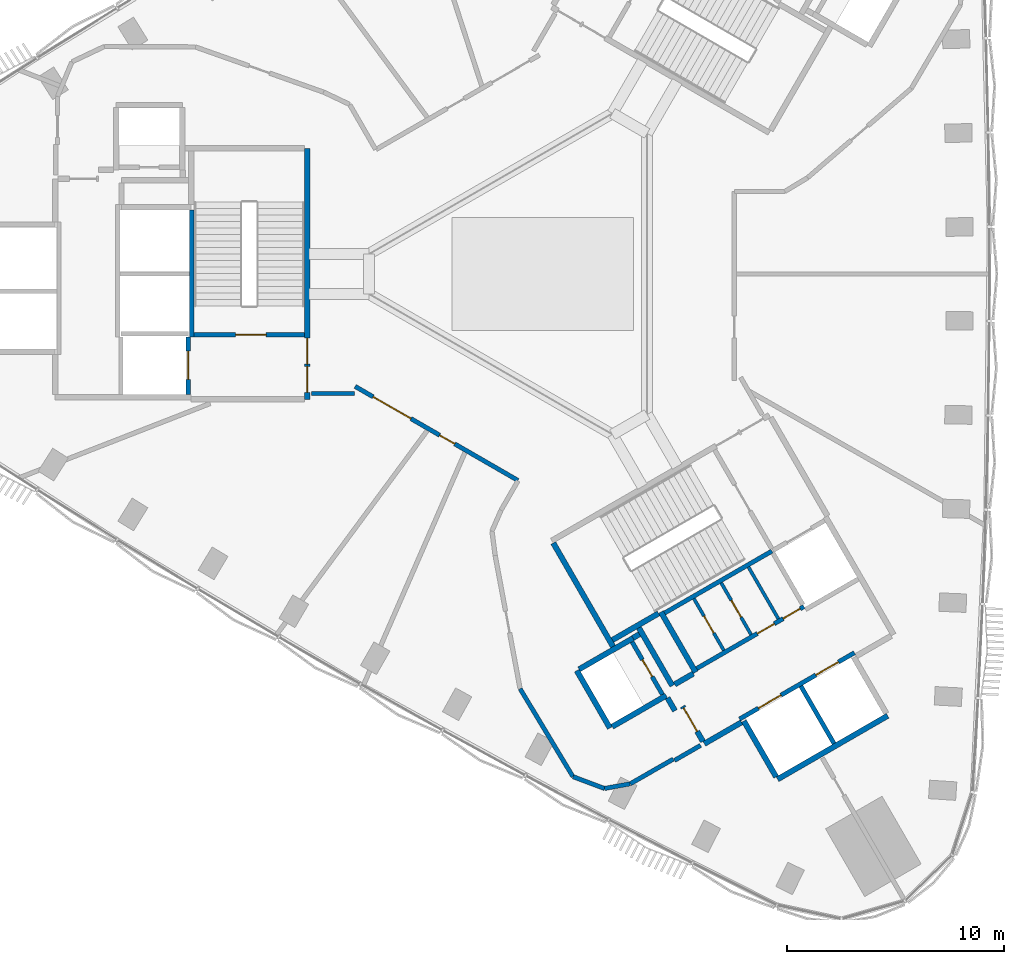
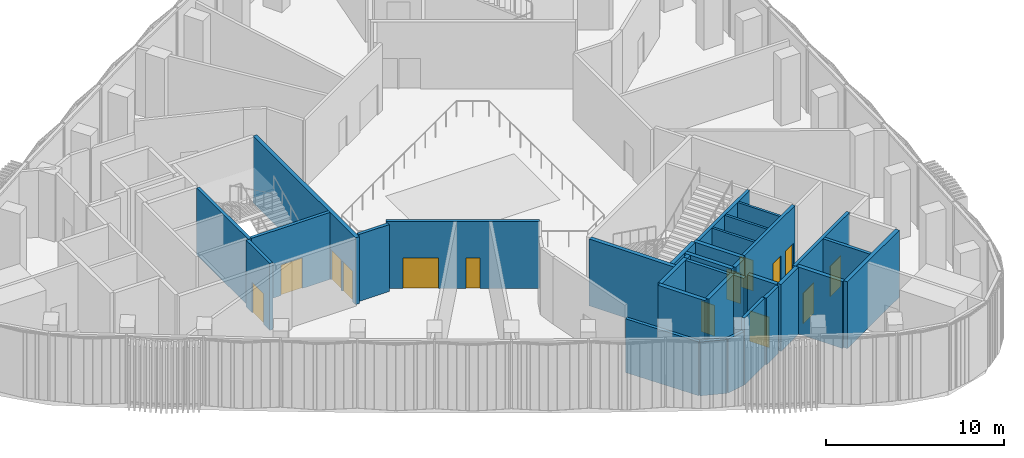
# One storey, part 8 of 17: 33 walls, 14 doors, 14 openings.
"""IFC4 building model written with IfcOpenShell, lengths in metres."""

from ifc_helpers import new_model, si_unit, direction, frame, frame_2d, origin, place, context, subcontext, project, spatial, rectangle, extrude, material, layer, layer_set, type_object, element, fill, save


model = new_model("IFC4")

# Units and contexts
model_context = context("Model", 3, precision=1e-05, world=origin(), true_north=direction((0.0, 1.0)))
body_context = subcontext(model_context, "Body", "Model", "MODEL_VIEW")
ifc_project = project(units=[si_unit("LENGTHUNIT", "METRE"), si_unit("AREAUNIT", "SQUARE_METRE"), si_unit("VOLUMEUNIT", "CUBIC_METRE"), si_unit("PLANEANGLEUNIT", "RADIAN"), si_unit("MASSUNIT", "GRAM", prefix="KILO")], contexts=[model_context])

# Site, building, storey
site_placement = place(None, origin())
site = spatial("IfcSite", under=ifc_project, at=site_placement, CompositionType="ELEMENT")
building_placement = place(site_placement, origin())
building = spatial("IfcBuilding", under=site, at=building_placement, Name="Tamra Quay Hotel Tower", CompositionType="ELEMENT")
storey_placement = place(building_placement, frame((0.0, 0.0, 123.800048828125)))
storey = spatial("IfcBuildingStorey", under=building, at=storey_placement, Name="L30", CompositionType="ELEMENT", Elevation=123.800048828125)

# Wall
ifc_material_1 = material(Name="Concrete M70", Category="concrete")
ifc_layer_1 = layer(ifc_material_1, 0.199951171875)
ifc_layer_set_1 = layer_set([ifc_layer_1], Name="Concrete M70 core wall 200")
wall_type_1 = type_object("IfcWallType", Name="Concrete M70 core wall 200", PredefinedType="SHEAR", material=ifc_layer_set_1)
wall_1_placement = place(storey_placement, frame((-16.162109375, 2.95068359375, 0.0), z_axis=(0.0, 0.0, 1.0), x_axis=(0.0, -1.0, 0.0)))
element("IfcWall", 1, at=wall_1_placement, inside=storey, type_object=wall_type_1, Name="CW2", PredefinedType="SHEAR", context=body_context, shape_type="SweptSolid", body=[
    extrude(rectangle(XDim=5.850830078125, YDim=0.199951171875, at=frame_2d((2.92529296875, 0.0))), origin(), (0.0, 0.0, 1.0), 4.599853515625),
])

# Wall, opening, door
wall_2_placement = place(storey_placement, frame((-10.96337890625, -2.800048828125, 0.0), z_axis=(0.0, 0.0, 1.0), x_axis=(-1.0, 0.0, 0.0)))
wall_2 = element("IfcWall", 2, at=wall_2_placement, inside=storey, type_object=wall_type_1, Name="CW2", PredefinedType="SHEAR", context=body_context, shape_type="SweptSolid", body=[
    extrude(rectangle(XDim=5.097900390625, YDim=0.199951171875, at=frame_2d((2.548828125, 0.0))), origin(), (0.0, 0.0, 1.0), 4.599853515625),
])
opening_1_placement = place(wall_2_placement, frame((1.77392578125, 0.0, 0.0)))
opening_1 = element("IfcOpeningElement", 3, at=opening_1_placement, cuts=wall_2, Name="Opening FD2", PredefinedType="OPENING", context=body_context, shape_type="SweptSolid", body=[
    extrude(rectangle(XDim=1.39990234375, YDim=2.10009765625, at=frame_2d((0.699951171875, 1.050048828125))), frame((0.0, 0.10986328125, 0.0), z_axis=(0.0, -1.0, 0.0), x_axis=(1.0, 0.0, 0.0)), (0.0, 0.0, 1.0), 0.219970703125),
])
ifc_material_2 = material(Name="Core door FD2 1400x2100 RH")
door_type_1 = type_object("IfcDoorType", Name="Core door FD2 1400x2100 RH", OperationType="NOTDEFINED", PredefinedType="DOOR", material=ifc_material_2)
door_1_placement = place(opening_1_placement, origin())
door_1 = element("IfcDoor", 4, at=door_1_placement, inside=storey, type_object=door_type_1, Name="FD2", OperationType="SINGLE_SWING_RIGHT", OverallHeight=2.10009765625, OverallWidth=1.39990234375, PredefinedType="DOOR", context=body_context, shape_type="SweptSolid", body=[
    extrude(rectangle(XDim=1.39990234375, YDim=2.10009765625, at=frame_2d((0.699951171875, 1.050048828125))), frame((0.0, 0.02490234375, 0.0), z_axis=(0.0, -1.0, 0.0), x_axis=(1.0, 0.0, 0.0)), (0.0, 0.0, 1.0), 0.050048828125),
])
fill(opening_1, door_1)

wall_3_placement = place(storey_placement, frame((-16.312255859375, -2.898193359375, 0.0), z_axis=(0.0, 0.0, 1.0), x_axis=(0.0, -1.0, 0.0)))
wall_3 = element("IfcWall", 5, at=wall_3_placement, inside=storey, type_object=wall_type_1, Name="CW2", PredefinedType="SHEAR", context=body_context, shape_type="SweptSolid", body=[
    extrude(rectangle(XDim=2.65087890625, YDim=0.199951171875, at=frame_2d((1.325439453125, 0.0))), origin(), (0.0, 0.0, 1.0), 4.599853515625),
])
opening_2_placement = place(wall_3_placement, frame((0.65185546875, 0.0, 0.0)))
opening_2 = element("IfcOpeningElement", 6, at=opening_2_placement, cuts=wall_3, Name="Opening LD", PredefinedType="OPENING", context=body_context, shape_type="SweptSolid", body=[
    extrude(rectangle(XDim=1.300048828125, YDim=2.10009765625, at=frame_2d((0.64990234375, 1.050048828125))), frame((0.0, 0.10986328125, 0.0), z_axis=(0.0, -1.0, 0.0), x_axis=(1.0, 0.0, 0.0)), (0.0, 0.0, 1.0), 0.219970703125),
])
ifc_material_3 = material(Name="Landing door LD 1300 sliding to right")
door_type_2 = type_object("IfcDoorType", Name="Landing door LD 1300 sliding to right", OperationType="NOTDEFINED", PredefinedType="DOOR", material=ifc_material_3)
door_2_placement = place(opening_2_placement, origin())
door_2 = element("IfcDoor", 7, at=door_2_placement, inside=storey, type_object=door_type_2, Name="LD", OperationType="SLIDING_TO_RIGHT", OverallHeight=2.10009765625, OverallWidth=1.300048828125, PredefinedType="DOOR", context=body_context, shape_type="SweptSolid", body=[
    extrude(rectangle(XDim=1.300048828125, YDim=2.10009765625, at=frame_2d((0.64990234375, 1.050048828125))), frame((0.0, 0.02490234375, 0.0), z_axis=(0.0, -1.0, 0.0), x_axis=(1.0, 0.0, 0.0)), (0.0, 0.0, 1.0), 0.050048828125),
])
fill(opening_2, door_2)

# Wall, openings, doors
wall_4_placement = place(storey_placement, frame((9.052490234375, -20.479736328125, 0.0), z_axis=(0.0, 0.0, 1.0), x_axis=(0.866030299012, 0.499991521122, 0.0)))
wall_4 = element("IfcWall", 8, at=wall_4_placement, inside=storey, type_object=wall_type_1, Name="CW2", PredefinedType="SHEAR", context=body_context, shape_type="SweptSolid", body=[
    extrude(rectangle(XDim=6.10009765625, YDim=0.199951171875, at=frame_2d((3.050048828125, 0.0))), origin(), (0.0, 0.0, 1.0), 4.599853515625),
])
opening_3_placement = place(wall_4_placement, frame((1.0, 0.0, 0.0)))
opening_3 = element("IfcOpeningElement", 9, at=opening_3_placement, cuts=wall_4, Name="Opening LD", PredefinedType="OPENING", context=body_context, shape_type="SweptSolid", body=[
    extrude(rectangle(XDim=1.199951171875, YDim=2.10009765625, at=frame_2d((0.60009765625, 1.050048828125))), frame((0.0, 0.10986328125, 0.0), z_axis=(0.0, -1.0, 0.0), x_axis=(1.0, 0.0, 0.0)), (0.0, 0.0, 1.0), 0.219970703125),
])
opening_4_placement = place(wall_4_placement, frame((4.05029296875, 0.0, 0.0)))
opening_4 = element("IfcOpeningElement", 10, at=opening_4_placement, cuts=wall_4, Name="Opening LD", PredefinedType="OPENING", context=body_context, shape_type="SweptSolid", body=[
    extrude(rectangle(XDim=1.199951171875, YDim=2.10009765625, at=frame_2d((0.60009765625, 1.050048828125))), frame((0.0, 0.10986328125, 0.0), z_axis=(0.0, -1.0, 0.0), x_axis=(1.0, 0.0, 0.0)), (0.0, 0.0, 1.0), 0.219970703125),
])
ifc_material_4 = material(Name="Landing door LD 1200 double door sliding")
door_type_3 = type_object("IfcDoorType", Name="Landing door LD 1200 double door sliding", OperationType="DOUBLE_DOOR_SLIDING", PredefinedType="DOOR", material=ifc_material_4)
door_3_placement = place(opening_3_placement, origin())
door_3 = element("IfcDoor", 11, at=door_3_placement, inside=storey, type_object=door_type_3, Name="LD", OperationType="DOUBLE_DOOR_SLIDING", OverallHeight=2.10009765625, OverallWidth=1.199951171875, PredefinedType="DOOR", context=body_context, shape_type="SweptSolid", body=[
    extrude(rectangle(XDim=1.199951171875, YDim=2.10009765625, at=frame_2d((0.60009765625, 1.050048828125))), frame((0.0, 0.02490234375, 0.0), z_axis=(0.0, -1.0, 0.0), x_axis=(1.0, 0.0, 0.0)), (0.0, 0.0, 1.0), 0.050048828125),
])
fill(opening_3, door_3)
door_4_placement = place(opening_4_placement, origin())
door_4 = element("IfcDoor", 12, at=door_4_placement, inside=storey, type_object=door_type_3, Name="LD", OperationType="DOUBLE_DOOR_SLIDING", OverallHeight=2.10009765625, OverallWidth=1.199951171875, PredefinedType="DOOR", context=body_context, shape_type="SweptSolid", body=[
    extrude(rectangle(XDim=1.199951171875, YDim=2.10009765625, at=frame_2d((0.60009765625, 1.050048828125))), frame((0.0, 0.02490234375, 0.0), z_axis=(0.0, -1.0, 0.0), x_axis=(1.0, 0.0, 0.0)), (0.0, 0.0, 1.0), 0.050048828125),
])
fill(opening_4, door_4)

# Wall
wall_5_placement = place(storey_placement, frame((10.537841796875, -12.751953125, 0.0), z_axis=(0.0, 0.0, 1.0), x_axis=(-0.866038630372, -0.499977090179, 0.0)))
element("IfcWall", 13, at=wall_5_placement, inside=storey, type_object=wall_type_1, Name="CW2", PredefinedType="SHEAR", context=body_context, shape_type="SweptSolid", body=[
    extrude(rectangle(XDim=5.698974609375, YDim=0.199951171875, at=frame_2d((2.849609375, 0.0))), origin(), (0.0, 0.0, 1.0), 4.599853515625),
])

# Wall, openings, doors
wall_6_placement = place(storey_placement, frame((7.0771484375, -18.156005859375, 0.0), z_axis=(0.0, 0.0, 1.0), x_axis=(0.866038630372, 0.499977090179, 0.0)))
wall_6 = element("IfcWall", 14, at=wall_6_placement, inside=storey, type_object=wall_type_1, Name="CW2", PredefinedType="SHEAR", context=body_context, shape_type="SweptSolid", body=[
    extrude(rectangle(XDim=5.698974609375, YDim=0.199951171875, at=frame_2d((2.849609375, 0.0))), origin(), (0.0, 0.0, 1.0), 4.599853515625),
])
opening_5_placement = place(wall_6_placement, frame((3.22412109375, 0.0, 0.0)))
opening_5 = element("IfcOpeningElement", 15, at=opening_5_placement, cuts=wall_6, Name="Opening D2", PredefinedType="OPENING", context=body_context, shape_type="SweptSolid", body=[
    extrude(rectangle(XDim=0.89990234375, YDim=2.10009765625, at=frame_2d((0.449951171875, 1.050048828125))), frame((0.0, 0.10986328125, 0.0), z_axis=(0.0, -1.0, 0.0), x_axis=(1.0, 0.0, 0.0)), (0.0, 0.0, 1.0), 0.219970703125),
])
opening_6_placement = place(wall_6_placement, frame((4.59912109375, 0.0, 0.0)))
opening_6 = element("IfcOpeningElement", 16, at=opening_6_placement, cuts=wall_6, Name="Opening D2", PredefinedType="OPENING", context=body_context, shape_type="SweptSolid", body=[
    extrude(rectangle(XDim=0.89990234375, YDim=2.10009765625, at=frame_2d((0.449951171875, 1.050048828125))), frame((0.0, 0.10986328125, 0.0), z_axis=(0.0, -1.0, 0.0), x_axis=(1.0, 0.0, 0.0)), (0.0, 0.0, 1.0), 0.219970703125),
])
ifc_material_5 = material(Name="Core door D2 900x2100 LH")
door_type_4 = type_object("IfcDoorType", Name="Core door D2 900x2100 LH", OperationType="NOTDEFINED", PredefinedType="DOOR", material=ifc_material_5)
door_5_placement = place(opening_6_placement, origin())
door_5 = element("IfcDoor", 17, at=door_5_placement, inside=storey, type_object=door_type_4, Name="D2", OperationType="SINGLE_SWING_LEFT", OverallHeight=2.10009765625, OverallWidth=0.89990234375, PredefinedType="DOOR", context=body_context, shape_type="SweptSolid", body=[
    extrude(rectangle(XDim=0.89990234375, YDim=2.10009765625, at=frame_2d((0.449951171875, 1.050048828125))), frame((0.0, 0.02490234375, 0.0), z_axis=(0.0, -1.0, 0.0), x_axis=(1.0, 0.0, 0.0)), (0.0, 0.0, 1.0), 0.050048828125),
])
fill(opening_6, door_5)
ifc_material_6 = material(Name="Core door D2 900x2100 RH")
door_type_5 = type_object("IfcDoorType", Name="Core door D2 900x2100 RH", OperationType="NOTDEFINED", PredefinedType="DOOR", material=ifc_material_6)
door_6_placement = place(opening_5_placement, origin())
door_6 = element("IfcDoor", 18, at=door_6_placement, inside=storey, type_object=door_type_5, Name="D2", OperationType="SINGLE_SWING_RIGHT", OverallHeight=2.10009765625, OverallWidth=0.89990234375, PredefinedType="DOOR", context=body_context, shape_type="SweptSolid", body=[
    extrude(rectangle(XDim=0.89990234375, YDim=2.10009765625, at=frame_2d((0.449951171875, 1.050048828125))), frame((0.0, 0.02490234375, 0.0), z_axis=(0.0, -1.0, 0.0), x_axis=(1.0, 0.0, 0.0)), (0.0, 0.0, 1.0), 0.050048828125),
])
fill(opening_5, door_6)

# Wall
wall_7_placement = place(storey_placement, frame((11.87451171875, -18.967041015625, 0.0), z_axis=(0.0, 0.0, 1.0), x_axis=(0.49998131003, -0.866036194175, 0.0)))
element("IfcWall", 19, at=wall_7_placement, inside=storey, type_object=wall_type_1, Name="CW2", PredefinedType="SHEAR", context=body_context, shape_type="SweptSolid", body=[
    extrude(rectangle(XDim=3.0478515625, YDim=0.199951171875, at=frame_2d((1.52392578125, 0.0))), origin(), (0.0, 0.0, 1.0), 4.599853515625),
])

# Wall, opening, door
wall_8_placement = place(storey_placement, frame((5.50341796875, -19.352294921875, 0.0), z_axis=(0.0, 0.0, 1.0), x_axis=(-0.499986818241, 0.866033014143, 0.0)))
wall_8 = element("IfcWall", 20, at=wall_8_placement, inside=storey, type_object=wall_type_1, Name="CW2", PredefinedType="SHEAR", context=body_context, shape_type="SweptSolid", body=[
    extrude(rectangle(XDim=2.7978515625, YDim=0.199951171875, at=frame_2d((1.39892578125, 0.0))), origin(), (0.0, 0.0, 1.0), 4.599853515625),
])
opening_7_placement = place(wall_8_placement, frame((0.948974609375, 0.0, 0.0)))
opening_7 = element("IfcOpeningElement", 21, at=opening_7_placement, cuts=wall_8, Name="Opening D1", PredefinedType="OPENING", context=body_context, shape_type="SweptSolid", body=[
    extrude(rectangle(XDim=0.89990234375, YDim=2.10009765625, at=frame_2d((0.449951171875, 1.050048828125))), frame((0.0, 0.10986328125, 0.0), z_axis=(0.0, -1.0, 0.0), x_axis=(1.0, 0.0, 0.0)), (0.0, 0.0, 1.0), 0.219970703125),
])
ifc_material_7 = material(Name="Core door D1 900x2100 RH")
door_type_6 = type_object("IfcDoorType", Name="Core door D1 900x2100 RH", OperationType="NOTDEFINED", PredefinedType="DOOR", material=ifc_material_7)
door_7_placement = place(opening_7_placement, origin())
door_7 = element("IfcDoor", 22, at=door_7_placement, inside=storey, type_object=door_type_6, Name="D1", OperationType="SINGLE_SWING_RIGHT", OverallHeight=2.10009765625, OverallWidth=0.89990234375, PredefinedType="DOOR", context=body_context, shape_type="SweptSolid", body=[
    extrude(rectangle(XDim=0.89990234375, YDim=2.10009765625, at=frame_2d((0.449951171875, 1.050048828125))), frame((0.0, 0.02490234375, 0.0), z_axis=(0.0, -1.0, 0.0), x_axis=(1.0, 0.0, 0.0)), (0.0, 0.0, 1.0), 0.050048828125),
])
fill(opening_7, door_7)

# Wall, openings, doors
ifc_layer_2 = layer(ifc_material_1, 0.25)
ifc_layer_set_2 = layer_set([ifc_layer_2], Name="Concrete M70 core wall 250")
wall_type_2 = type_object("IfcWallType", Name="Concrete M70 core wall 250", PredefinedType="SHEAR", material=ifc_layer_set_2)
wall_9_placement = place(storey_placement, frame((-10.83740234375, 5.77490234375, 0.0), z_axis=(0.0, 0.0, 1.0), x_axis=(0.0, -1.0, 0.0)))
wall_9 = element("IfcWall", 23, at=wall_9_placement, inside=storey, type_object=wall_type_2, Name="CW1", PredefinedType="SHEAR", context=body_context, shape_type="SweptSolid", body=[
    extrude(rectangle(XDim=11.5498046875, YDim=0.25, at=frame_2d((5.77490234375, 0.0))), origin(), (0.0, 0.0, 1.0), 4.599853515625),
])
opening_8_placement = place(wall_9_placement, frame((10.02490234375, 0.0, 0.0)))
opening_8 = element("IfcOpeningElement", 24, at=opening_8_placement, cuts=wall_9, Name="Opening FD1", PredefinedType="OPENING", context=body_context, shape_type="SweptSolid", body=[
    extrude(rectangle(XDim=1.199951171875, YDim=2.10009765625, at=frame_2d((0.60009765625, 1.050048828125))), frame((0.0, 0.135009765625, 0.0), z_axis=(0.0, -1.0, 0.0), x_axis=(1.0, 0.0, 0.0)), (0.0, 0.0, 1.0), 0.27001953125),
])
opening_9_placement = place(wall_9_placement, frame((8.72509765625, 0.0, 0.0)))
opening_9 = element("IfcOpeningElement", 25, at=opening_9_placement, cuts=wall_9, Name="Opening FD1", PredefinedType="OPENING", context=body_context, shape_type="SweptSolid", body=[
    extrude(rectangle(XDim=1.199951171875, YDim=2.10009765625, at=frame_2d((0.60009765625, 1.050048828125))), frame((0.0, 0.135009765625, 0.0), z_axis=(0.0, -1.0, 0.0), x_axis=(1.0, 0.0, 0.0)), (0.0, 0.0, 1.0), 0.27001953125),
])
ifc_material_8 = material(Name="Core door FD1 1200x2100 LH")
door_type_7 = type_object("IfcDoorType", Name="Core door FD1 1200x2100 LH", OperationType="NOTDEFINED", PredefinedType="DOOR", material=ifc_material_8)
door_8_placement = place(opening_8_placement, origin())
door_8 = element("IfcDoor", 26, at=door_8_placement, inside=storey, type_object=door_type_7, Name="FD1", OperationType="SINGLE_SWING_LEFT", OverallHeight=2.10009765625, OverallWidth=1.199951171875, PredefinedType="DOOR", context=body_context, shape_type="SweptSolid", body=[
    extrude(rectangle(XDim=1.199951171875, YDim=2.10009765625, at=frame_2d((0.60009765625, 1.050048828125))), frame((0.0, 0.02490234375, 0.0), z_axis=(0.0, -1.0, 0.0), x_axis=(1.0, 0.0, 0.0)), (0.0, 0.0, 1.0), 0.050048828125),
])
fill(opening_8, door_8)
ifc_material_9 = material(Name="Core door FD1 1200x2100 RH")
door_type_8 = type_object("IfcDoorType", Name="Core door FD1 1200x2100 RH", OperationType="NOTDEFINED", PredefinedType="DOOR", material=ifc_material_9)
door_9_placement = place(opening_9_placement, origin())
door_9 = element("IfcDoor", 27, at=door_9_placement, inside=storey, type_object=door_type_8, Name="FD1", OperationType="SINGLE_SWING_RIGHT", OverallHeight=2.10009765625, OverallWidth=1.199951171875, PredefinedType="DOOR", context=body_context, shape_type="SweptSolid", body=[
    extrude(rectangle(XDim=1.199951171875, YDim=2.10009765625, at=frame_2d((0.60009765625, 1.050048828125))), frame((0.0, 0.02490234375, 0.0), z_axis=(0.0, -1.0, 0.0), x_axis=(1.0, 0.0, 0.0)), (0.0, 0.0, 1.0), 0.050048828125),
])
fill(opening_9, door_9)

# Walls
wall_10_placement = place(storey_placement, frame((15.86474609375, -20.328369140625, 0.0), z_axis=(0.0, 0.0, 1.0), x_axis=(-0.86602852612, -0.499994591916, 0.0)))
element("IfcWall", 28, at=wall_10_placement, inside=storey, type_object=wall_type_2, Name="CW1", PredefinedType="SHEAR", context=body_context, shape_type="SweptSolid", body=[
    extrude(rectangle(XDim=5.85009765625, YDim=0.25, at=frame_2d((2.925048828125, 0.0))), origin(), (0.0, 0.0, 1.0), 4.599853515625),
])
wall_11_placement = place(storey_placement, frame((3.23486328125, -17.15283203125, 0.0), z_axis=(0.0, 0.0, 1.0), x_axis=(-0.500008851346, 0.866020293397, 0.0)))
element("IfcWall", 29, at=wall_11_placement, inside=storey, type_object=wall_type_2, Name="CW1", PredefinedType="SHEAR", context=body_context, shape_type="SweptSolid", body=[
    extrude(rectangle(XDim=5.509765625, YDim=0.25, at=frame_2d((2.7548828125, 0.0))), origin(), (0.0, 0.0, 1.0), 4.599853515625),
])
wall_12_placement = place(storey_placement, frame((7.030517578125, -18.327392578125, 0.0), z_axis=(0.0, 0.0, 1.0), x_axis=(-0.499971222258, 0.866042017984, 0.0)))
element("IfcWall", 30, at=wall_12_placement, inside=storey, type_object=wall_type_2, Name="CW1", PredefinedType="SHEAR", context=body_context, shape_type="SweptSolid", body=[
    extrude(rectangle(XDim=3.199951171875, YDim=0.25, at=frame_2d((1.60009765625, 0.0))), origin(), (0.0, 0.0, 1.0), 4.599853515625),
])
wall_13_placement = place(storey_placement, frame((10.73583984375, -23.144775390625, 0.0), z_axis=(0.0, 0.0, 1.0), x_axis=(-0.500023226632, 0.866011993467, 0.0)))
element("IfcWall", 31, at=wall_13_placement, inside=storey, type_object=wall_type_2, Name="CW1", PredefinedType="SHEAR", context=body_context, shape_type="SweptSolid", body=[
    extrude(rectangle(XDim=2.974365234375, YDim=0.25, at=frame_2d((1.4873046875, 0.0))), origin(), (0.0, 0.0, 1.0), 4.599853515625),
])
wall_14_placement = place(storey_placement, frame((3.085205078125, -20.893798828125, 0.0), z_axis=(0.0, 0.0, 1.0), x_axis=(-0.499978833458, 0.866037623948, 0.0)))
element("IfcWall", 32, at=wall_14_placement, inside=storey, type_object=wall_type_2, Name="CW1", PredefinedType="SHEAR", context=body_context, shape_type="SweptSolid", body=[
    extrude(rectangle(XDim=3.050048828125, YDim=0.25, at=frame_2d((1.52490234375, 0.0))), origin(), (0.0, 0.0, 1.0), 4.599853515625),
])
wall_15_placement = place(storey_placement, frame((1.6689453125, -18.189697265625, 0.0), z_axis=(0.0, 0.0, 1.0), x_axis=(0.866042235819, 0.499970844928, 0.0)))
element("IfcWall", 33, at=wall_15_placement, inside=storey, type_object=wall_type_2, Name="CW1", PredefinedType="SHEAR", context=body_context, shape_type="SweptSolid", body=[
    extrude(rectangle(XDim=2.864501953125, YDim=0.25, at=frame_2d((1.43212890625, 0.0))), origin(), (0.0, 0.0, 1.0), 4.599853515625),
])
wall_16_placement = place(storey_placement, frame((5.6748046875, -19.39892578125, 0.0), z_axis=(0.0, 0.0, 1.0), x_axis=(-0.866026637627, -0.499997862916, 0.0)))
element("IfcWall", 34, at=wall_16_placement, inside=storey, type_object=wall_type_2, Name="CW1", PredefinedType="SHEAR", context=body_context, shape_type="SweptSolid", body=[
    extrude(rectangle(XDim=2.86474609375, YDim=0.25, at=frame_2d((1.432373046875, 0.0))), origin(), (0.0, 0.0, 1.0), 4.599853515625),
])
wall_17_placement = place(storey_placement, frame((4.414306640625, -16.275634765625, 0.0), z_axis=(0.0, 0.0, 1.0), x_axis=(0.500003324108, -0.866023484601, 0.0)))
element("IfcWall", 35, at=wall_17_placement, inside=storey, type_object=wall_type_2, Name="CW1", PredefinedType="SHEAR", context=body_context, shape_type="SweptSolid", body=[
    extrude(rectangle(XDim=3.0849609375, YDim=0.25, at=frame_2d((1.54248046875, 0.0))), origin(), (0.0, 0.0, 1.0), 4.599853515625),
])
wall_18_placement = place(storey_placement, frame((5.322021484375, -15.618896484375, 0.0), z_axis=(0.0, 0.0, 1.0), x_axis=(-0.866026229868, -0.499998569178, 0.0)))
element("IfcWall", 36, at=wall_18_placement, inside=storey, type_object=wall_type_2, Name="CW1", PredefinedType="SHEAR", context=body_context, shape_type="SweptSolid", body=[
    extrude(rectangle(XDim=2.44921875, YDim=0.25, at=frame_2d((1.224609375, 0.0))), origin(), (0.0, 0.0, 1.0), 4.599853515625),
])
wall_19_placement = place(storey_placement, frame((9.139892578125, -20.63134765625, 0.0), z_axis=(0.0, 0.0, 1.0), x_axis=(-0.866043531843, -0.499968599967, 0.0)))
element("IfcWall", 37, at=wall_19_placement, inside=storey, type_object=wall_type_2, Name="CW1", PredefinedType="SHEAR", context=body_context, shape_type="SweptSolid", body=[
    extrude(rectangle(XDim=1.974853515625, YDim=0.25, at=frame_2d((0.9873046875, 0.0))), origin(), (0.0, 0.0, 1.0), 4.599853515625),
])

# Wall, opening, door
wall_20_placement = place(storey_placement, frame((7.3671875, -21.51025390625, 0.0), z_axis=(0.0, 0.0, 1.0), x_axis=(-0.499983108224, 0.866035156036, 0.0)))
wall_20 = element("IfcWall", 38, at=wall_20_placement, inside=storey, type_object=wall_type_2, Name="CW1", PredefinedType="SHEAR", context=body_context, shape_type="SweptSolid", body=[
    extrude(rectangle(XDim=1.86474609375, YDim=0.25, at=frame_2d((0.932373046875, 0.0))), origin(), (0.0, 0.0, 1.0), 4.599853515625),
])
opening_10_placement = place(wall_20_placement, frame((0.53466796875, 0.0, 0.0)))
opening_10 = element("IfcOpeningElement", 39, at=opening_10_placement, cuts=wall_20, Name="Opening FD3", PredefinedType="OPENING", context=body_context, shape_type="SweptSolid", body=[
    extrude(rectangle(XDim=1.25, YDim=2.10009765625, at=frame_2d((0.625, 1.050048828125))), frame((0.0, 0.135009765625, 0.0), z_axis=(0.0, -1.0, 0.0), x_axis=(1.0, 0.0, 0.0)), (0.0, 0.0, 1.0), 0.27001953125),
])
ifc_material_10 = material(Name="Core door FD3 1250x2100 LH")
door_type_9 = type_object("IfcDoorType", Name="Core door FD3 1250x2100 LH", OperationType="NOTDEFINED", PredefinedType="DOOR", material=ifc_material_10)
door_10_placement = place(opening_10_placement, origin())
door_10 = element("IfcDoor", 40, at=door_10_placement, inside=storey, type_object=door_type_9, Name="FD3", OperationType="SINGLE_SWING_LEFT", OverallHeight=2.10009765625, OverallWidth=1.25, PredefinedType="DOOR", context=body_context, shape_type="SweptSolid", body=[
    extrude(rectangle(XDim=1.25, YDim=2.10009765625, at=frame_2d((0.625, 1.050048828125))), frame((0.0, 0.02490234375, 0.0), z_axis=(0.0, -1.0, 0.0), x_axis=(1.0, 0.0, 0.0)), (0.0, 0.0, 1.0), 0.050048828125),
])
fill(opening_10, door_10)

# Walls
wall_21_placement = place(storey_placement, frame((6.0654296875, -18.884765625, 0.0), z_axis=(0.0, 0.0, 1.0), x_axis=(0.866017078145, 0.500014420154, 0.0)))
element("IfcWall", 41, at=wall_21_placement, inside=storey, type_object=wall_type_2, Name="CW1", PredefinedType="SHEAR", context=body_context, shape_type="SweptSolid", body=[
    extrude(rectangle(XDim=0.9892578125, YDim=0.25, at=frame_2d((0.49462890625, 0.0))), origin(), (0.0, 0.0, 1.0), 4.599853515625),
])
wall_22_placement = place(storey_placement, frame((6.07958984375, -20.100341796875, 0.0), z_axis=(0.0, 0.0, 1.0), x_axis=(-0.500051773299, 0.865995510393, 0.0)))
element("IfcWall", 42, at=wall_22_placement, inside=storey, type_object=wall_type_2, Name="CW1", PredefinedType="SHEAR", context=body_context, shape_type="SweptSolid", body=[
    extrude(rectangle(XDim=0.6845703125, YDim=0.25, at=frame_2d((0.34228515625, 0.0))), origin(), (0.0, 0.0, 1.0), 4.599853515625),
])
wall_23_placement = place(storey_placement, frame((4.144775390625, -16.748779296875, 0.0), z_axis=(0.0, 0.0, 1.0), x_axis=(0.866185586049, 0.49972245349, 0.0)))
element("IfcWall", 43, at=wall_23_placement, inside=storey, type_object=wall_type_2, Name="CW1", PredefinedType="SHEAR", context=body_context, shape_type="SweptSolid", body=[
    extrude(rectangle(XDim=0.344482421875, YDim=0.25, at=frame_2d((0.17236328125, 0.0))), origin(), (0.0, 0.0, 1.0), 4.599853515625),
])

# Wall, opening, door
ifc_material_11 = material(Name="Blockwork", Category="masonry")
ifc_layer_3 = layer(ifc_material_11, 0.14990234375)
ifc_layer_set_3 = layer_set([ifc_layer_3], Name="Core partition block 150")
wall_type_3 = type_object("IfcWallType", Name="Core partition block 150", PredefinedType="PARTITIONING", material=ifc_layer_set_3)
wall_24_placement = place(storey_placement, frame((8.20654296875, -14.214111328125, 0.0), z_axis=(0.0, 0.0, 1.0), x_axis=(0.50002746344, -0.86600954718, 0.0)))
wall_24 = element("IfcWall", 44, at=wall_24_placement, inside=storey, type_object=wall_type_3, Name="CP1", PredefinedType="PARTITIONING", context=body_context, shape_type="SweptSolid", body=[
    extrude(rectangle(XDim=2.748291015625, YDim=0.14990234375, at=frame_2d((1.3740234375, 0.0))), origin(), (0.0, 0.0, 1.0), 4.599853515625),
])
opening_11_placement = place(wall_24_placement, frame((0.92431640625, 0.0, 0.0)))
opening_11 = element("IfcOpeningElement", 45, at=opening_11_placement, cuts=wall_24, Name="Opening D2", PredefinedType="OPENING", context=body_context, shape_type="SweptSolid", body=[
    extrude(rectangle(XDim=0.89990234375, YDim=2.10009765625, at=frame_2d((0.449951171875, 1.050048828125))), frame((0.0, 0.0849609375, 0.0), z_axis=(0.0, -1.0, 0.0), x_axis=(1.0, 0.0, 0.0)), (0.0, 0.0, 1.0), 0.169921875),
])
door_11_placement = place(opening_11_placement, origin())
door_11 = element("IfcDoor", 46, at=door_11_placement, inside=storey, type_object=door_type_4, Name="D2", OperationType="SINGLE_SWING_LEFT", OverallHeight=2.10009765625, OverallWidth=0.89990234375, PredefinedType="DOOR", context=body_context, shape_type="SweptSolid", body=[
    extrude(rectangle(XDim=0.89990234375, YDim=2.10009765625, at=frame_2d((0.449951171875, 1.050048828125))), frame((0.0, 0.02490234375, 0.0), z_axis=(0.0, -1.0, 0.0), x_axis=(1.0, 0.0, 0.0)), (0.0, 0.0, 1.0), 0.050048828125),
])
fill(opening_11, door_11)

# Wall
wall_25_placement = place(storey_placement, frame((9.46240234375, -13.489013671875, 0.0), z_axis=(0.0, 0.0, 1.0), x_axis=(0.499988999718, -0.866031754707, 0.0)))
element("IfcWall", 47, at=wall_25_placement, inside=storey, type_object=wall_type_3, Name="CP1", PredefinedType="PARTITIONING", context=body_context, shape_type="SweptSolid", body=[
    extrude(rectangle(XDim=2.74853515625, YDim=0.14990234375, at=frame_2d((1.374267578125, 0.0))), origin(), (0.0, 0.0, 1.0), 4.599853515625),
])

# Wall, opening, door
wall_26_placement = place(storey_placement, frame((6.950927734375, -14.93896484375, 0.0), z_axis=(0.0, 0.0, 1.0), x_axis=(0.499988999718, -0.866031754707, 0.0)))
wall_26 = element("IfcWall", 48, at=wall_26_placement, inside=storey, type_object=wall_type_3, Name="CP1", PredefinedType="PARTITIONING", context=body_context, shape_type="SweptSolid", body=[
    extrude(rectangle(XDim=2.74853515625, YDim=0.14990234375, at=frame_2d((1.374267578125, 0.0))), origin(), (0.0, 0.0, 1.0), 4.599853515625),
])
opening_12_placement = place(wall_26_placement, frame((0.92431640625, 0.0, 0.0)))
opening_12 = element("IfcOpeningElement", 49, at=opening_12_placement, cuts=wall_26, Name="Opening D2", PredefinedType="OPENING", context=body_context, shape_type="SweptSolid", body=[
    extrude(rectangle(XDim=0.89990234375, YDim=2.10009765625, at=frame_2d((0.449951171875, 1.050048828125))), frame((0.0, 0.0849609375, 0.0), z_axis=(0.0, -1.0, 0.0), x_axis=(1.0, 0.0, 0.0)), (0.0, 0.0, 1.0), 0.169921875),
])
door_12_placement = place(opening_12_placement, origin())
door_12 = element("IfcDoor", 50, at=door_12_placement, inside=storey, type_object=door_type_5, Name="D2", OperationType="SINGLE_SWING_RIGHT", OverallHeight=2.10009765625, OverallWidth=0.89990234375, PredefinedType="DOOR", context=body_context, shape_type="SweptSolid", body=[
    extrude(rectangle(XDim=0.89990234375, YDim=2.10009765625, at=frame_2d((0.449951171875, 1.050048828125))), frame((0.0, 0.02490234375, 0.0), z_axis=(0.0, -1.0, 0.0), x_axis=(1.0, 0.0, 0.0)), (0.0, 0.0, 1.0), 0.050048828125),
])
fill(opening_12, door_12)

# Wall
ifc_material_12 = material(Name="Partition corridor wall")
ifc_layer_4 = layer(ifc_material_12, 0.199951171875)
ifc_layer_set_4 = layer_set([ifc_layer_4], Name="Partition corridor wall")
wall_type_4 = type_object("IfcWallType", Name="Partition corridor wall", PredefinedType="PARTITIONING", material=ifc_layer_set_4)
wall_27_placement = place(storey_placement, frame((-10.65234375, -5.5, 0.0), z_axis=(0.0, 0.0, 1.0), x_axis=(1.0, 0.0, 0.0)))
element("IfcWall", 51, at=wall_27_placement, inside=storey, type_object=wall_type_4, Name="W-C", PredefinedType="PARTITIONING", context=body_context, shape_type="SweptSolid", body=[
    extrude(rectangle(XDim=1.9892578125, YDim=0.199951171875, at=frame_2d((0.99462890625, 0.0))), origin(), (0.0, 0.0, 1.0), 4.599853515625),
])

# Wall, openings, doors
wall_28_placement = place(storey_placement, frame((-8.636962890625, -5.175048828125, 0.0), z_axis=(0.0, 0.0, 1.0), x_axis=(0.866026702578, -0.499997750416, 0.0)))
wall_28 = element("IfcWall", 52, at=wall_28_placement, inside=storey, type_object=wall_type_4, Name="W-C", PredefinedType="PARTITIONING", context=body_context, shape_type="SweptSolid", body=[
    extrude(rectangle(XDim=8.64892578125, YDim=0.199951171875, at=frame_2d((4.324462890625, 0.0))), origin(), (0.0, 0.0, 1.0), 4.599853515625),
])
opening_13_placement = place(wall_28_placement, frame((0.9560546875, 0.0, 0.0)))
opening_13 = element("IfcOpeningElement", 53, at=opening_13_placement, cuts=wall_28, Name="Opening L30-D008", PredefinedType="OPENING", context=body_context, shape_type="SweptSolid", body=[
    extrude(rectangle(XDim=2.0, YDim=2.10009765625, at=frame_2d((1.0, 1.050048828125))), frame((0.0, 0.10986328125, 0.0), z_axis=(0.0, -1.0, 0.0), x_axis=(1.0, 0.0, 0.0)), (0.0, 0.0, 1.0), 0.219970703125),
])
opening_14_placement = place(wall_28_placement, frame((4.492919921875, 0.0, 0.0)))
opening_14 = element("IfcOpeningElement", 54, at=opening_14_placement, cuts=wall_28, Name="Opening L30-D009", PredefinedType="OPENING", context=body_context, shape_type="SweptSolid", body=[
    extrude(rectangle(XDim=0.800048828125, YDim=2.10009765625, at=frame_2d((0.39990234375, 1.050048828125))), frame((0.0, 0.10986328125, 0.0), z_axis=(0.0, -1.0, 0.0), x_axis=(1.0, 0.0, 0.0)), (0.0, 0.0, 1.0), 0.219970703125),
])
ifc_material_13 = material(Name="Door double leaf 2000x2100")
door_type_10 = type_object("IfcDoorType", Name="Door double leaf 2000x2100", OperationType="DOUBLE_DOOR_SINGLE_SWING", PredefinedType="DOOR", material=ifc_material_13)
door_13_placement = place(opening_13_placement, frame((2.0, 0.0, 0.0), z_axis=(0.0, 0.0, 1.0), x_axis=(-1.0, 0.0, 0.0)))
door_13 = element("IfcDoor", 55, at=door_13_placement, inside=storey, type_object=door_type_10, Name="L30-D008", OperationType="DOUBLE_DOOR_SINGLE_SWING", OverallHeight=2.10009765625, OverallWidth=2.0, PredefinedType="DOOR", context=body_context, shape_type="SweptSolid", body=[
    extrude(rectangle(XDim=2.0, YDim=2.10009765625, at=frame_2d((1.0, 1.050048828125))), frame((0.0, 0.02490234375, 0.0), z_axis=(0.0, -1.0, 0.0), x_axis=(1.0, 0.0, 0.0)), (0.0, 0.0, 1.0), 0.050048828125),
])
fill(opening_13, door_13)
ifc_material_14 = material(Name="Door service room 800x2100")
door_type_11 = type_object("IfcDoorType", Name="Door service room 800x2100", OperationType="NOTDEFINED", PredefinedType="DOOR", material=ifc_material_14)
door_14_placement = place(opening_14_placement, frame((0.800048828125, 0.0, 0.0), z_axis=(0.0, 0.0, 1.0), x_axis=(-1.0, 0.0, 0.0)))
door_14 = element("IfcDoor", 56, at=door_14_placement, inside=storey, type_object=door_type_11, Name="L30-D009", OperationType="SINGLE_SWING_LEFT", OverallHeight=2.10009765625, OverallWidth=0.800048828125, PredefinedType="DOOR", context=body_context, shape_type="SweptSolid", body=[
    extrude(rectangle(XDim=0.800048828125, YDim=2.10009765625, at=frame_2d((0.39990234375, 1.050048828125))), frame((0.0, 0.02490234375, 0.0), z_axis=(0.0, -1.0, 0.0), x_axis=(1.0, 0.0, 0.0)), (0.0, 0.0, 1.0), 0.050048828125),
])
fill(opening_14, door_14)

# Walls
wall_29_placement = place(storey_placement, frame((-1.047119140625, -19.0859375, 0.0), z_axis=(0.0, 0.0, 1.0), x_axis=(0.515211359032, -0.857063157255, 0.0)))
element("IfcWall", 57, at=wall_29_placement, inside=storey, type_object=wall_type_4, Name="W-C", PredefinedType="PARTITIONING", context=body_context, shape_type="SweptSolid", body=[
    extrude(rectangle(XDim=4.71484375, YDim=0.199951171875, at=frame_2d((2.357421875, 0.0))), origin(), (0.0, 0.0, 1.0), 3.699951171875),
])
wall_30_placement = place(storey_placement, frame((1.388916015625, -23.131103515625, 0.0), z_axis=(0.0, 0.0, 1.0), x_axis=(0.935814533732, -0.352492777879, 0.0)))
element("IfcWall", 58, at=wall_30_placement, inside=storey, type_object=wall_type_4, Name="W-C", PredefinedType="PARTITIONING", context=body_context, shape_type="SweptSolid", body=[
    extrude(rectangle(XDim=1.543212890625, YDim=0.199951171875, at=frame_2d((0.771484375, 0.0))), origin(), (0.0, 0.0, 1.0), 3.699951171875),
])
wall_31_placement = place(storey_placement, frame((2.8369140625, -23.675048828125, 0.0), z_axis=(0.0, 0.0, 1.0), x_axis=(0.983774851332, 0.179407474447, 0.0)))
element("IfcWall", 59, at=wall_31_placement, inside=storey, type_object=wall_type_4, Name="W-C", PredefinedType="PARTITIONING", context=body_context, shape_type="SweptSolid", body=[
    extrude(rectangle(XDim=1.193359375, YDim=0.199951171875, at=frame_2d((0.5966796875, 0.0))), origin(), (0.0, 0.0, 1.0), 3.699951171875),
])
wall_32_placement = place(storey_placement, frame((4.01904296875, -23.458984375, 0.0), z_axis=(0.0, 0.0, 1.0), x_axis=(0.867775707364, 0.496956056114, 0.0)))
element("IfcWall", 60, at=wall_32_placement, inside=storey, type_object=wall_type_4, Name="W-C", PredefinedType="PARTITIONING", context=body_context, shape_type="SweptSolid", body=[
    extrude(rectangle(XDim=2.283935546875, YDim=0.199951171875, at=frame_2d((1.14208984375, 0.0))), origin(), (0.0, 0.0, 1.0), 4.599853515625),
])
wall_33_placement = place(storey_placement, frame((6.055908203125, -22.384033203125, 0.0), z_axis=(0.0, 0.0, 1.0), x_axis=(0.866276386163, 0.499565033581, 0.0)))
element("IfcWall", 61, at=wall_33_placement, inside=storey, type_object=wall_type_4, Name="W-C", PredefinedType="PARTITIONING", context=body_context, shape_type="SweptSolid", body=[
    extrude(rectangle(XDim=1.387451171875, YDim=0.199951171875, at=frame_2d((0.69384765625, 0.0))), origin(), (0.0, 0.0, 1.0), 4.599853515625),
])

save(model, "model.ifc")
